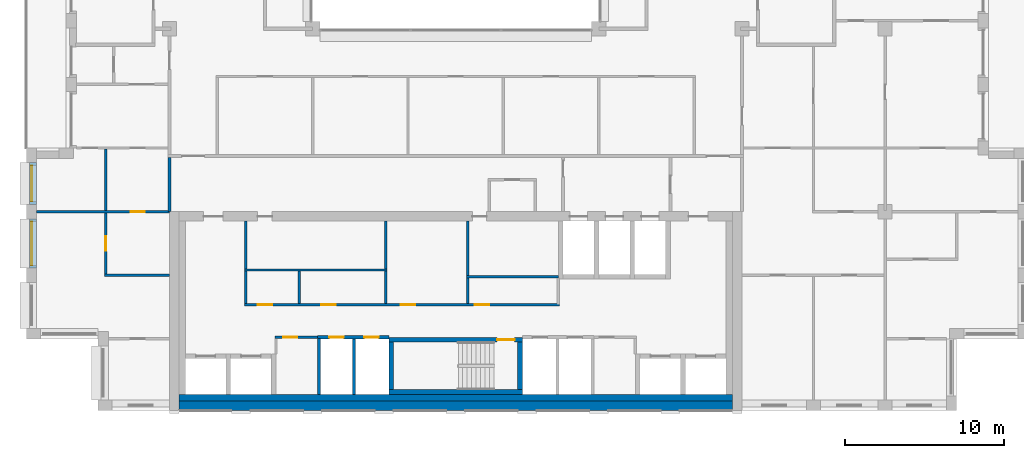
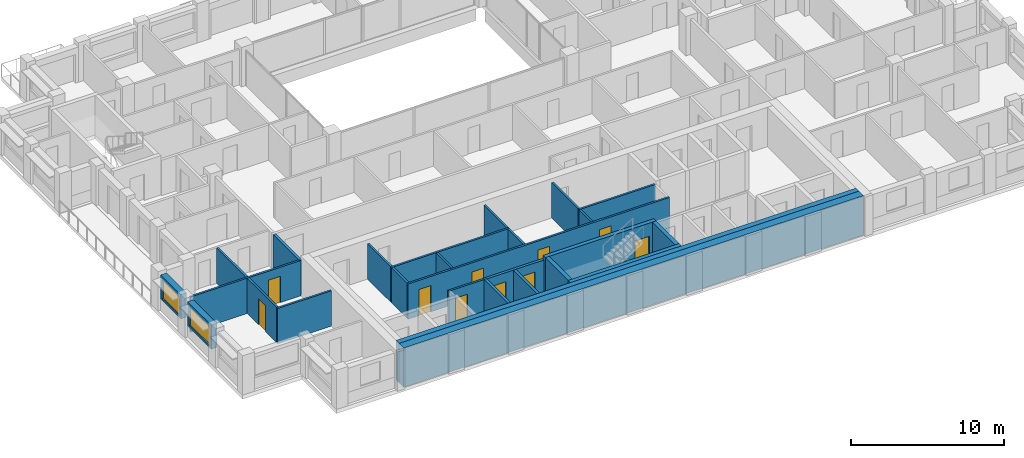
# One storey, part 8 of 16: 27 walls, 10 doors, 2 windows, 12 openings.
"""IFC4 building model written with IfcOpenShell, lengths in metres."""

from ifc_helpers import new_model, si_unit, direction, frame, frame_2d, origin, place, context, subcontext, project, spatial, rectangle, extrude, material, layer, layer_set, type_object, element, fill, save


model = new_model("IFC4")

# Units and contexts
model_context = context("Model", 3, precision=1e-05, world=origin(), true_north=direction((0.0, 1.0)))
body_context = subcontext(model_context, "Body", "Model", "MODEL_VIEW")
ifc_project = project(units=[si_unit("LENGTHUNIT", "METRE"), si_unit("AREAUNIT", "SQUARE_METRE"), si_unit("VOLUMEUNIT", "CUBIC_METRE"), si_unit("PLANEANGLEUNIT", "RADIAN"), si_unit("MASSUNIT", "GRAM", prefix="KILO")], contexts=[model_context])

# Site, building, storey
site_placement = place(None, origin())
site = spatial("IfcSite", under=ifc_project, at=site_placement, CompositionType="ELEMENT")
building_placement = place(site_placement, origin())
building = spatial("IfcBuilding", under=site, at=building_placement, Name="Brigalow Station Residences", CompositionType="ELEMENT")
storey_placement = place(building_placement, frame((0.0, 0.0, 204.300048828125)))
storey = spatial("IfcBuildingStorey", under=building, at=storey_placement, Name="L58", CompositionType="ELEMENT", Elevation=204.300048828125)

# Wall, opening, window
ifc_material_1 = material(Name="Clay brick masonry", Category="masonry")
ifc_layer_1 = layer(ifc_material_1, 0.449951171875)
ifc_layer_set_1 = layer_set([ifc_layer_1], Name="BRICK INFILL WALL 450")
wall_type_1 = type_object("IfcWallType", Name="BRICK INFILL WALL 450", PredefinedType="SOLIDWALL", material=ifc_layer_set_1)
wall_1_placement = place(storey_placement, frame((9.425048828125, 15.60009765625, 0.89990234375), z_axis=(0.0, 0.0, 1.0), x_axis=(0.0, -1.0, 0.0)))
wall_1 = element("IfcWall", 1, at=wall_1_placement, inside=storey, type_object=wall_type_1, Name="L58/ewall/W-L58-41", PredefinedType="SOLIDWALL", context=body_context, shape_type="SweptSolid", body=[
    extrude(rectangle(XDim=2.650146484375, YDim=0.449951171875, at=frame_2d((1.3251953125, 0.0))), origin(), (0.0, 0.0, 1.0), 1.929931640625),
])
opening_1_placement = place(wall_1_placement, frame((0.199951171875, 0.0, 0.14990234375)))
opening_1 = element("IfcOpeningElement", 2, at=opening_1_placement, cuts=wall_1, Name="Opening WT-6", PredefinedType="OPENING", context=body_context, shape_type="SweptSolid", body=[
    extrude(rectangle(XDim=2.25, YDim=1.5, at=frame_2d((1.125, 0.75))), frame((0.0, 0.23486328125, 0.0), z_axis=(0.0, -1.0, 0.0), x_axis=(1.0, 0.0, 0.0)), (0.0, 0.0, 1.0), 0.469970703125),
])
ifc_material_2 = material(Name="Anodised aluminium frame with double glazing", Category="aluminium")
window_type_1 = type_object("IfcWindowType", Name="WINDOW 2250x1500", PartitioningType="SINGLE_PANEL", PredefinedType="WINDOW", material=ifc_material_2)
window_1_placement = place(opening_1_placement, origin())
window_1 = element("IfcWindow", 3, at=window_1_placement, inside=storey, type_object=window_type_1, Name="L58/window/W-L58-41", OverallHeight=1.5, OverallWidth=2.25, PartitioningType="SINGLE_PANEL", PredefinedType="WINDOW", context=body_context, shape_type="SweptSolid", body=[
    extrude(rectangle(XDim=2.25, YDim=1.5, at=frame_2d((1.125, 0.75))), frame((0.0, -0.06494140625, 0.0), z_axis=(0.0, -1.0, 0.0), x_axis=(1.0, 0.0, 0.0)), (0.0, 0.0, 1.0), 0.06005859375),
])
fill(opening_1, window_1)

wall_2_placement = place(storey_placement, frame((9.425048828125, 12.050048828125, 0.89990234375), z_axis=(0.0, 0.0, 1.0), x_axis=(0.0, -1.0, 0.0)))
wall_2 = element("IfcWall", 4, at=wall_2_placement, inside=storey, type_object=wall_type_1, Name="L58/ewall/W-L58-42", PredefinedType="SOLIDWALL", context=body_context, shape_type="SweptSolid", body=[
    extrude(rectangle(XDim=3.10009765625, YDim=0.449951171875, at=frame_2d((1.550048828125, 0.0))), origin(), (0.0, 0.0, 1.0), 1.929931640625),
])
opening_2_placement = place(wall_2_placement, frame((0.175048828125, 0.0, 0.14990234375)))
opening_2 = element("IfcOpeningElement", 5, at=opening_2_placement, cuts=wall_2, Name="Opening WT-3", PredefinedType="OPENING", context=body_context, shape_type="SweptSolid", body=[
    extrude(rectangle(XDim=2.75, YDim=1.5, at=frame_2d((1.375, 0.75))), frame((0.0, 0.23486328125, 0.0), z_axis=(0.0, -1.0, 0.0), x_axis=(1.0, 0.0, 0.0)), (0.0, 0.0, 1.0), 0.469970703125),
])
ifc_material_3 = material(Name="Anodised aluminium frame with double glazing", Category="aluminium")
window_type_2 = type_object("IfcWindowType", Name="WINDOW 2750x1500", PartitioningType="SINGLE_PANEL", PredefinedType="WINDOW", material=ifc_material_3)
window_2_placement = place(opening_2_placement, origin())
window_2 = element("IfcWindow", 6, at=window_2_placement, inside=storey, type_object=window_type_2, Name="L58/window/W-L58-42", OverallHeight=1.5, OverallWidth=2.75, PartitioningType="SINGLE_PANEL", PredefinedType="WINDOW", context=body_context, shape_type="SweptSolid", body=[
    extrude(rectangle(XDim=2.75, YDim=1.5, at=frame_2d((1.375, 0.75))), frame((0.0, -0.06494140625, 0.0), z_axis=(0.0, -1.0, 0.0), x_axis=(1.0, 0.0, 0.0)), (0.0, 0.0, 1.0), 0.06005859375),
])
fill(opening_2, window_2)

# Wall
ifc_material_4 = material(Name="Concrete C50", Category="concrete")
ifc_layer_2 = layer(ifc_material_4, 0.300048828125)
ifc_layer_set_2 = layer_set([ifc_layer_2], Name="CORE SHEAR WALL 300 C50")
wall_type_2 = type_object("IfcWallType", Name="CORE SHEAR WALL 300 C50", PredefinedType="SHEAR", material=ifc_layer_set_2)
wall_3_placement = place(storey_placement, frame((31.800048828125, 1.14990234375, 0.0), z_axis=(0.0, 0.0, 1.0), x_axis=(1.0, 0.0, 0.0)))
element("IfcWall", 7, at=wall_3_placement, inside=storey, type_object=wall_type_2, Name="CORE WALL ST-S2-S L58", PredefinedType="SHEAR", context=body_context, shape_type="SweptSolid", body=[
    extrude(rectangle(XDim=8.39990234375, YDim=0.300048828125, at=frame_2d((4.199951171875, 0.0))), origin(), (0.0, 0.0, 1.0), 3.14990234375),
])

# Wall, opening, door
wall_4_placement = place(storey_placement, frame((31.800048828125, 4.449951171875, 0.0), z_axis=(0.0, 0.0, 1.0), x_axis=(1.0, 0.0, 0.0)))
wall_4 = element("IfcWall", 8, at=wall_4_placement, inside=storey, type_object=wall_type_2, Name="CORE WALL ST-S2-N L58", PredefinedType="SHEAR", context=body_context, shape_type="SweptSolid", body=[
    extrude(rectangle(XDim=8.39990234375, YDim=0.300048828125, at=frame_2d((4.199951171875, 0.0))), origin(), (0.0, 0.0, 1.0), 3.14990234375),
])
opening_3_placement = place(wall_4_placement, frame((6.800048828125, 0.0, 0.0)))
opening_3 = element("IfcOpeningElement", 9, at=opening_3_placement, cuts=wall_4, Name="Opening D-5001", PredefinedType="OPENING", context=body_context, shape_type="SweptSolid", body=[
    extrude(rectangle(XDim=1.10009765625, YDim=2.10009765625, at=frame_2d((0.550048828125, 1.050048828125))), frame((0.0, 0.16015625, 0.0), z_axis=(0.0, -1.0, 0.0), x_axis=(1.0, 0.0, 0.0)), (0.0, 0.0, 1.0), 0.320068359375),
])
ifc_material_5 = material(Name="Steel fire door leaf in steel frame", Category="steel")
door_type_1 = type_object("IfcDoorType", Name="STAIR DOOR 1100 x 2100 FD60S", OperationType="SINGLE_SWING_LEFT", PredefinedType="DOOR", material=ifc_material_5)
door_1_placement = place(opening_3_placement, frame((1.10009765625, 0.0, 0.0), z_axis=(0.0, 0.0, 1.0), x_axis=(-1.0, 0.0, 0.0)))
door_1 = element("IfcDoor", 10, at=door_1_placement, inside=storey, type_object=door_type_1, Name="D-5001", OperationType="SINGLE_SWING_LEFT", OverallHeight=2.10009765625, OverallWidth=1.10009765625, PredefinedType="DOOR", context=body_context, shape_type="SweptSolid", body=[
    extrude(rectangle(XDim=1.10009765625, YDim=2.10009765625, at=frame_2d((0.550048828125, 1.050048828125))), frame((0.0, 0.02490234375, 0.0), z_axis=(0.0, -1.0, 0.0), x_axis=(1.0, 0.0, 0.0)), (0.0, 0.0, 1.0), 0.050048828125),
])
fill(opening_3, door_1)

# Walls
for number, where, z_axis, x_axis, name in (
    (11, (31.949951171875, 1.300048828125, 0.0), (0.0, 0.0, 1.0), (0.0, 1.0, 0.0), "CORE WALL ST-S2-W L58"),
    (12, (40.050048828125, 1.300048828125, 0.0), (0.0, 0.0, 1.0), (0.0, 1.0, 0.0), "CORE WALL ST-S2-E L58"),
):
    element("IfcWall", number, at=place(storey_placement, frame(where, z_axis=z_axis, x_axis=x_axis)), inside=storey, type_object=wall_type_2, Name=name, PredefinedType="SHEAR", context=body_context, shape_type="SweptSolid", body=[
        extrude(rectangle(XDim=3.0, YDim=0.300048828125, at=frame_2d((1.5, 0.0))), origin(), (0.0, 0.0, 1.0), 3.14990234375),
    ])
ifc_material_6 = material(Name="Concrete C50", Category="concrete")
ifc_layer_3 = layer(ifc_material_6, 0.39990234375)
ifc_layer_set_3 = layer_set([ifc_layer_3], Name="CORE SHEAR WALL 400 C50")
wall_type_3 = type_object("IfcWallType", Name="CORE SHEAR WALL 400 C50", PredefinedType="SHEAR", material=ifc_layer_set_3)
wall_5_placement = place(storey_placement, frame((18.60009765625, 0.800048828125, 0.0), z_axis=(0.0, 0.0, 1.0), x_axis=(1.0, 0.0, 0.0)))
element("IfcWall", 13, at=wall_5_placement, inside=storey, type_object=wall_type_3, Name="CORE WALL LIN-S L58", PredefinedType="SHEAR", context=body_context, shape_type="SweptSolid", body=[
    extrude(rectangle(XDim=34.7998046875, YDim=0.39990234375, at=frame_2d((17.39990234375, 0.0))), origin(), (0.0, 0.0, 1.0), 3.14990234375),
])
ifc_material_7 = material(Name="Concrete C50", Category="concrete")
ifc_layer_4 = layer(ifc_material_7, 0.60009765625)
ifc_layer_set_4 = layer_set([ifc_layer_4], Name="CORE SHEAR WALL 600 C50")
wall_type_4 = type_object("IfcWallType", Name="CORE SHEAR WALL 600 C50", PredefinedType="SHEAR", material=ifc_layer_set_4)
wall_6_placement = place(storey_placement, frame((18.60009765625, 0.300048828125, 0.0), z_axis=(0.0, 0.0, 1.0), x_axis=(1.0, 0.0, 0.0)))
element("IfcWall", 14, at=wall_6_placement, inside=storey, type_object=wall_type_4, Name="CORE WALL OUT-S L58", PredefinedType="SHEAR", context=body_context, shape_type="SweptSolid", body=[
    extrude(rectangle(XDim=34.7998046875, YDim=0.60009765625, at=frame_2d((17.39990234375, 0.0))), origin(), (0.0, 0.0, 1.0), 3.14990234375),
])

# Wall, openings, doors
ifc_material_8 = material(Name="Concrete blockwork", Category="masonry")
ifc_layer_5 = layer(ifc_material_8, 0.199951171875)
ifc_layer_set_5 = layer_set([ifc_layer_5], Name="FIRE RATED CORE PARTITION 200")
wall_type_5 = type_object("IfcWallType", Name="FIRE RATED CORE PARTITION 200", PredefinedType="PARTITIONING", material=ifc_layer_set_5)
wall_7_placement = place(storey_placement, frame((27.300048828125, 4.60009765625, 0.0), z_axis=(0.0, 0.0, 1.0), x_axis=(1.0, 0.0, 0.0)))
wall_7 = element("IfcWall", 15, at=wall_7_placement, inside=storey, type_object=wall_type_5, Name="PW-5017", PredefinedType="PARTITIONING", context=body_context, shape_type="SweptSolid", body=[
    extrude(rectangle(XDim=4.5, YDim=0.199951171875, at=frame_2d((2.25, 0.0))), origin(), (0.0, 0.0, 1.0), 2.829833984375),
])
opening_4_placement = place(wall_7_placement, frame((0.75, 0.0, 0.0)))
opening_4 = element("IfcOpeningElement", 16, at=opening_4_placement, cuts=wall_7, Name="Opening D-5007", PredefinedType="OPENING", context=body_context, shape_type="SweptSolid", body=[
    extrude(rectangle(XDim=0.89990234375, YDim=2.10009765625, at=frame_2d((0.449951171875, 1.050048828125))), frame((0.0, 0.10986328125, 0.0), z_axis=(0.0, -1.0, 0.0), x_axis=(1.0, 0.0, 0.0)), (0.0, 0.0, 1.0), 0.219970703125),
])
opening_5_placement = place(wall_7_placement, frame((2.949951171875, 0.0, 0.0)))
opening_5 = element("IfcOpeningElement", 17, at=opening_5_placement, cuts=wall_7, Name="Opening D-5008", PredefinedType="OPENING", context=body_context, shape_type="SweptSolid", body=[
    extrude(rectangle(XDim=0.89990234375, YDim=2.10009765625, at=frame_2d((0.449951171875, 1.050048828125))), frame((0.0, 0.10986328125, 0.0), z_axis=(0.0, -1.0, 0.0), x_axis=(1.0, 0.0, 0.0)), (0.0, 0.0, 1.0), 0.219970703125),
])
ifc_material_9 = material(Name="Steel fire door leaf in steel frame", Category="steel")
door_type_2 = type_object("IfcDoorType", Name="RISER ACCESS DOOR 900 x 2100 FD120", OperationType="SINGLE_SWING_LEFT", PredefinedType="DOOR", material=ifc_material_9)
door_2_placement = place(opening_4_placement, frame((0.89990234375, 0.0, 0.0), z_axis=(0.0, 0.0, 1.0), x_axis=(-1.0, 0.0, 0.0)))
door_2 = element("IfcDoor", 18, at=door_2_placement, inside=storey, type_object=door_type_2, Name="D-5007", OperationType="SINGLE_SWING_RIGHT", OverallHeight=2.10009765625, OverallWidth=0.89990234375, PredefinedType="DOOR", context=body_context, shape_type="SweptSolid", body=[
    extrude(rectangle(XDim=0.89990234375, YDim=2.10009765625, at=frame_2d((0.449951171875, 1.050048828125))), frame((0.0, 0.02490234375, 0.0), z_axis=(0.0, -1.0, 0.0), x_axis=(1.0, 0.0, 0.0)), (0.0, 0.0, 1.0), 0.050048828125),
])
fill(opening_4, door_2)
door_3_placement = place(opening_5_placement, frame((0.89990234375, 0.0, 0.0), z_axis=(0.0, 0.0, 1.0), x_axis=(-1.0, 0.0, 0.0)))
door_3 = element("IfcDoor", 19, at=door_3_placement, inside=storey, type_object=door_type_2, Name="D-5008", OperationType="SINGLE_SWING_RIGHT", OverallHeight=2.10009765625, OverallWidth=0.89990234375, PredefinedType="DOOR", context=body_context, shape_type="SweptSolid", body=[
    extrude(rectangle(XDim=0.89990234375, YDim=2.10009765625, at=frame_2d((0.449951171875, 1.050048828125))), frame((0.0, 0.02490234375, 0.0), z_axis=(0.0, -1.0, 0.0), x_axis=(1.0, 0.0, 0.0)), (0.0, 0.0, 1.0), 0.050048828125),
])
fill(opening_5, door_3)

# Walls
wall_8_placement = place(storey_placement, frame((27.39990234375, 1.0, 0.0), z_axis=(0.0, 0.0, 1.0), x_axis=(0.0, 1.0, 0.0)))
element("IfcWall", 20, at=wall_8_placement, inside=storey, type_object=wall_type_5, Name="PW-5027", PredefinedType="PARTITIONING", context=body_context, shape_type="SweptSolid", body=[
    extrude(rectangle(XDim=3.52490234375, YDim=0.199951171875, at=frame_2d((1.762451171875, 0.0))), origin(), (0.0, 0.0, 1.0), 2.829833984375),
])
wall_9_placement = place(storey_placement, frame((29.60009765625, 1.0, 0.0), z_axis=(0.0, 0.0, 1.0), x_axis=(0.0, 1.0, 0.0)))
element("IfcWall", 21, at=wall_9_placement, inside=storey, type_object=wall_type_5, Name="PW-5006", PredefinedType="PARTITIONING", context=body_context, shape_type="SweptSolid", body=[
    extrude(rectangle(XDim=3.5, YDim=0.199951171875, at=frame_2d((1.75, 0.0))), origin(), (0.0, 0.0, 1.0), 2.829833984375),
])
wall_10_placement = place(storey_placement, frame((18.0, 12.5, 0.0), z_axis=(0.0, 0.0, 1.0), x_axis=(0.0, 1.0, 0.0)))
element("IfcWall", 22, at=wall_10_placement, inside=storey, type_object=wall_type_5, Name="PW-5013", PredefinedType="PARTITIONING", context=body_context, shape_type="SweptSolid", body=[
    extrude(rectangle(XDim=3.39990234375, YDim=0.199951171875, at=frame_2d((1.699951171875, 0.0))), origin(), (0.0, 0.0, 1.0), 2.829833984375),
])

# Wall, opening, door
ifc_material_10 = material(Name="Plasterboard on steel stud partition", Category="steel")
ifc_layer_6 = layer(ifc_material_10, 0.14990234375)
ifc_layer_set_6 = layer_set([ifc_layer_6], Name="FLAT PARTITION 150")
wall_type_6 = type_object("IfcWallType", Name="FLAT PARTITION 150", PredefinedType="PARTITIONING", material=ifc_layer_set_6)
wall_11_placement = place(storey_placement, frame((9.64990234375, 12.5, 0.0), z_axis=(0.0, 0.0, 1.0), x_axis=(1.0, 0.0, 0.0)))
wall_11 = element("IfcWall", 23, at=wall_11_placement, inside=storey, type_object=wall_type_6, Name="PW-4A12", PredefinedType="PARTITIONING", context=body_context, shape_type="SweptSolid", body=[
    extrude(rectangle(XDim=8.35009765625, YDim=0.14990234375, at=frame_2d((4.175048828125, 0.0))), origin(), (0.0, 0.0, 1.0), 2.829833984375),
])
opening_6_placement = place(wall_11_placement, frame((5.89990234375, 0.0, 0.0)))
opening_6 = element("IfcOpeningElement", 24, at=opening_6_placement, cuts=wall_11, Name="Opening D-4A08", PredefinedType="OPENING", context=body_context, shape_type="SweptSolid", body=[
    extrude(rectangle(XDim=0.89990234375, YDim=2.10009765625, at=frame_2d((0.449951171875, 1.050048828125))), frame((0.0, 0.0849609375, 0.0), z_axis=(0.0, -1.0, 0.0), x_axis=(1.0, 0.0, 0.0)), (0.0, 0.0, 1.0), 0.169921875),
])
ifc_material_11 = material(Name="Solid-core timber door leaf", Category="wood")
door_type_3 = type_object("IfcDoorType", Name="INTERNAL DOOR 900 x 2100", OperationType="SINGLE_SWING_LEFT", PredefinedType="DOOR", material=ifc_material_11)
door_4_placement = place(opening_6_placement, origin())
door_4 = element("IfcDoor", 25, at=door_4_placement, inside=storey, type_object=door_type_3, Name="D-4A08", OperationType="SINGLE_SWING_LEFT", OverallHeight=2.10009765625, OverallWidth=0.89990234375, PredefinedType="DOOR", context=body_context, shape_type="SweptSolid", body=[
    extrude(rectangle(XDim=0.89990234375, YDim=2.10009765625, at=frame_2d((0.449951171875, 1.050048828125))), frame((0.0, 0.02490234375, 0.0), z_axis=(0.0, -1.0, 0.0), x_axis=(1.0, 0.0, 0.0)), (0.0, 0.0, 1.0), 0.050048828125),
])
fill(opening_6, door_4)

# Wall
wall_12_placement = place(storey_placement, frame((13.925048828125, 8.5, 0.0), z_axis=(0.0, 0.0, 1.0), x_axis=(1.0, 0.0, 0.0)))
element("IfcWall", 26, at=wall_12_placement, inside=storey, type_object=wall_type_6, Name="PW-4A14", PredefinedType="PARTITIONING", context=body_context, shape_type="SweptSolid", body=[
    extrude(rectangle(XDim=4.074951171875, YDim=0.14990234375, at=frame_2d((2.03759765625, 0.0))), origin(), (0.0, 0.0, 1.0), 2.829833984375),
])

# Wall, opening, door
wall_13_placement = place(storey_placement, frame((14.0, 8.574951171875, 0.0), z_axis=(0.0, 0.0, 1.0), x_axis=(0.0, 1.0, 0.0)))
wall_13 = element("IfcWall", 27, at=wall_13_placement, inside=storey, type_object=wall_type_6, Name="PW-4A43", PredefinedType="PARTITIONING", context=body_context, shape_type="SweptSolid", body=[
    extrude(rectangle(XDim=3.85009765625, YDim=0.14990234375, at=frame_2d((1.925048828125, 0.0))), origin(), (0.0, 0.0, 1.0), 2.829833984375),
])
opening_7_placement = place(wall_13_placement, frame((1.47509765625, 0.0, 0.0)))
opening_7 = element("IfcOpeningElement", 28, at=opening_7_placement, cuts=wall_13, Name="Opening D-4A09", PredefinedType="OPENING", context=body_context, shape_type="SweptSolid", body=[
    extrude(rectangle(XDim=0.89990234375, YDim=2.10009765625, at=frame_2d((0.449951171875, 1.050048828125))), frame((0.0, 0.0849609375, 0.0), z_axis=(0.0, -1.0, 0.0), x_axis=(1.0, 0.0, 0.0)), (0.0, 0.0, 1.0), 0.169921875),
])
door_5_placement = place(opening_7_placement, origin())
door_5 = element("IfcDoor", 29, at=door_5_placement, inside=storey, type_object=door_type_3, Name="D-4A09", OperationType="SINGLE_SWING_RIGHT", OverallHeight=2.10009765625, OverallWidth=0.89990234375, PredefinedType="DOOR", context=body_context, shape_type="SweptSolid", body=[
    extrude(rectangle(XDim=0.89990234375, YDim=2.10009765625, at=frame_2d((0.449951171875, 1.050048828125))), frame((0.0, 0.02490234375, 0.0), z_axis=(0.0, -1.0, 0.0), x_axis=(1.0, 0.0, 0.0)), (0.0, 0.0, 1.0), 0.050048828125),
])
fill(opening_7, door_5)

# Wall
wall_14_placement = place(storey_placement, frame((14.0, 12.574951171875, 0.0), z_axis=(0.0, 0.0, 1.0), x_axis=(0.0, 1.0, 0.0)))
element("IfcWall", 30, at=wall_14_placement, inside=storey, type_object=wall_type_6, Name="PW-4A44", PredefinedType="PARTITIONING", context=body_context, shape_type="SweptSolid", body=[
    extrude(rectangle(XDim=3.85009765625, YDim=0.14990234375, at=frame_2d((1.925048828125, 0.0))), origin(), (0.0, 0.0, 1.0), 2.829833984375),
])

# Wall, opening, door
ifc_material_12 = material(Name="Plasterboard on steel studs", Category="steel")
ifc_layer_7 = layer(ifc_material_12, 0.14990234375)
ifc_layer_set_7 = layer_set([ifc_layer_7], Name="SERVICE ROOM PARTITION 150")
wall_type_7 = type_object("IfcWallType", Name="SERVICE ROOM PARTITION 150", PredefinedType="PARTITIONING", material=ifc_layer_set_7)
wall_15_placement = place(storey_placement, frame((24.625, 4.60009765625, 0.0), z_axis=(0.0, 0.0, 1.0), x_axis=(1.0, 0.0, 0.0)))
wall_15 = element("IfcWall", 31, at=wall_15_placement, inside=storey, type_object=wall_type_7, Name="PW-5155", PredefinedType="PARTITIONING", context=body_context, shape_type="SweptSolid", body=[
    extrude(rectangle(XDim=2.675048828125, YDim=0.14990234375, at=frame_2d((1.33740234375, 0.0))), origin(), (0.0, 0.0, 1.0), 2.829833984375),
])
opening_8_placement = place(wall_15_placement, frame((0.52490234375, 0.0, 0.0)))
opening_8 = element("IfcOpeningElement", 32, at=opening_8_placement, cuts=wall_15, Name="Opening D-5087", PredefinedType="OPENING", context=body_context, shape_type="SweptSolid", body=[
    extrude(rectangle(XDim=0.89990234375, YDim=2.10009765625, at=frame_2d((0.449951171875, 1.050048828125))), frame((0.0, 0.0849609375, 0.0), z_axis=(0.0, -1.0, 0.0), x_axis=(1.0, 0.0, 0.0)), (0.0, 0.0, 1.0), 0.169921875),
])
ifc_material_13 = material(Name="Steel door leaf in steel frame", Category="steel")
door_type_4 = type_object("IfcDoorType", Name="SERVICE ROOM DOOR 900 x 2100 FD60", OperationType="SINGLE_SWING_LEFT", PredefinedType="DOOR", material=ifc_material_13)
door_6_placement = place(opening_8_placement, frame((0.89990234375, 0.0, 0.0), z_axis=(0.0, 0.0, 1.0), x_axis=(-1.0, 0.0, 0.0)))
door_6 = element("IfcDoor", 33, at=door_6_placement, inside=storey, type_object=door_type_4, Name="D-5087", OperationType="SINGLE_SWING_RIGHT", OverallHeight=2.10009765625, OverallWidth=0.89990234375, PredefinedType="DOOR", context=body_context, shape_type="SweptSolid", body=[
    extrude(rectangle(XDim=0.89990234375, YDim=2.10009765625, at=frame_2d((0.449951171875, 1.050048828125))), frame((0.0, 0.02490234375, 0.0), z_axis=(0.0, -1.0, 0.0), x_axis=(1.0, 0.0, 0.0)), (0.0, 0.0, 1.0), 0.050048828125),
])
fill(opening_8, door_6)

# Wall, openings, doors
wall_16_placement = place(storey_placement, frame((22.72509765625, 6.64990234375, 0.0), z_axis=(0.0, 0.0, 1.0), x_axis=(1.0, 0.0, 0.0)))
wall_16 = element("IfcWall", 34, at=wall_16_placement, inside=storey, type_object=wall_type_7, Name="PW-5195", PredefinedType="PARTITIONING", context=body_context, shape_type="SweptSolid", body=[
    extrude(rectangle(XDim=19.7998046875, YDim=0.14990234375, at=frame_2d((9.89990234375, 0.0))), origin(), (0.0, 0.0, 1.0), 2.829833984375),
])
opening_9_placement = place(wall_16_placement, frame((0.824951171875, 0.0, 0.0)))
opening_9 = element("IfcOpeningElement", 35, at=opening_9_placement, cuts=wall_16, Name="Opening D-5110", PredefinedType="OPENING", context=body_context, shape_type="SweptSolid", body=[
    extrude(rectangle(XDim=0.89990234375, YDim=2.10009765625, at=frame_2d((0.449951171875, 1.050048828125))), frame((0.0, 0.0849609375, 0.0), z_axis=(0.0, -1.0, 0.0), x_axis=(1.0, 0.0, 0.0)), (0.0, 0.0, 1.0), 0.169921875),
])
opening_10_placement = place(wall_16_placement, frame((4.824951171875, 0.0, 0.0)))
opening_10 = element("IfcOpeningElement", 36, at=opening_10_placement, cuts=wall_16, Name="Opening D-5116", PredefinedType="OPENING", context=body_context, shape_type="SweptSolid", body=[
    extrude(rectangle(XDim=0.89990234375, YDim=2.10009765625, at=frame_2d((0.449951171875, 1.050048828125))), frame((0.0, 0.0849609375, 0.0), z_axis=(0.0, -1.0, 0.0), x_axis=(1.0, 0.0, 0.0)), (0.0, 0.0, 1.0), 0.169921875),
])
opening_11_placement = place(wall_16_placement, frame((9.824951171875, 0.0, 0.0)))
opening_11 = element("IfcOpeningElement", 37, at=opening_11_placement, cuts=wall_16, Name="Opening D-5117", PredefinedType="OPENING", context=body_context, shape_type="SweptSolid", body=[
    extrude(rectangle(XDim=0.89990234375, YDim=2.10009765625, at=frame_2d((0.449951171875, 1.050048828125))), frame((0.0, 0.0849609375, 0.0), z_axis=(0.0, -1.0, 0.0), x_axis=(1.0, 0.0, 0.0)), (0.0, 0.0, 1.0), 0.169921875),
])
opening_12_placement = place(wall_16_placement, frame((14.47509765625, 0.0, 0.0)))
opening_12 = element("IfcOpeningElement", 38, at=opening_12_placement, cuts=wall_16, Name="Opening D-5114", PredefinedType="OPENING", context=body_context, shape_type="SweptSolid", body=[
    extrude(rectangle(XDim=0.89990234375, YDim=2.10009765625, at=frame_2d((0.449951171875, 1.050048828125))), frame((0.0, 0.0849609375, 0.0), z_axis=(0.0, -1.0, 0.0), x_axis=(1.0, 0.0, 0.0)), (0.0, 0.0, 1.0), 0.169921875),
])
door_7_placement = place(opening_9_placement, origin())
door_7 = element("IfcDoor", 39, at=door_7_placement, inside=storey, type_object=door_type_4, Name="D-5110", OperationType="SINGLE_SWING_LEFT", OverallHeight=2.10009765625, OverallWidth=0.89990234375, PredefinedType="DOOR", context=body_context, shape_type="SweptSolid", body=[
    extrude(rectangle(XDim=0.89990234375, YDim=2.10009765625, at=frame_2d((0.449951171875, 1.050048828125))), frame((0.0, 0.02490234375, 0.0), z_axis=(0.0, -1.0, 0.0), x_axis=(1.0, 0.0, 0.0)), (0.0, 0.0, 1.0), 0.050048828125),
])
fill(opening_9, door_7)
door_8_placement = place(opening_10_placement, origin())
door_8 = element("IfcDoor", 40, at=door_8_placement, inside=storey, type_object=door_type_4, Name="D-5116", OperationType="SINGLE_SWING_LEFT", OverallHeight=2.10009765625, OverallWidth=0.89990234375, PredefinedType="DOOR", context=body_context, shape_type="SweptSolid", body=[
    extrude(rectangle(XDim=0.89990234375, YDim=2.10009765625, at=frame_2d((0.449951171875, 1.050048828125))), frame((0.0, 0.02490234375, 0.0), z_axis=(0.0, -1.0, 0.0), x_axis=(1.0, 0.0, 0.0)), (0.0, 0.0, 1.0), 0.050048828125),
])
fill(opening_10, door_8)
door_9_placement = place(opening_11_placement, origin())
door_9 = element("IfcDoor", 41, at=door_9_placement, inside=storey, type_object=door_type_4, Name="D-5117", OperationType="SINGLE_SWING_LEFT", OverallHeight=2.10009765625, OverallWidth=0.89990234375, PredefinedType="DOOR", context=body_context, shape_type="SweptSolid", body=[
    extrude(rectangle(XDim=0.89990234375, YDim=2.10009765625, at=frame_2d((0.449951171875, 1.050048828125))), frame((0.0, 0.02490234375, 0.0), z_axis=(0.0, -1.0, 0.0), x_axis=(1.0, 0.0, 0.0)), (0.0, 0.0, 1.0), 0.050048828125),
])
fill(opening_11, door_9)
door_10_placement = place(opening_12_placement, origin())
door_10 = element("IfcDoor", 42, at=door_10_placement, inside=storey, type_object=door_type_4, Name="D-5114", OperationType="SINGLE_SWING_LEFT", OverallHeight=2.10009765625, OverallWidth=0.89990234375, PredefinedType="DOOR", context=body_context, shape_type="SweptSolid", body=[
    extrude(rectangle(XDim=0.89990234375, YDim=2.10009765625, at=frame_2d((0.449951171875, 1.050048828125))), frame((0.0, 0.02490234375, 0.0), z_axis=(0.0, -1.0, 0.0), x_axis=(1.0, 0.0, 0.0)), (0.0, 0.0, 1.0), 0.050048828125),
])
fill(opening_12, door_10)

# Walls
wall_17_placement = place(storey_placement, frame((36.675048828125, 8.39990234375, 0.0), z_axis=(0.0, 0.0, 1.0), x_axis=(1.0, 0.0, 0.0)))
element("IfcWall", 43, at=wall_17_placement, inside=storey, type_object=wall_type_7, Name="PW-5204", PredefinedType="PARTITIONING", context=body_context, shape_type="SweptSolid", body=[
    extrude(rectangle(XDim=5.77490234375, YDim=0.14990234375, at=frame_2d((2.887451171875, 0.0))), origin(), (0.0, 0.0, 1.0), 2.829833984375),
])
wall_18_placement = place(storey_placement, frame((22.72509765625, 8.830078125, 0.0), z_axis=(0.0, 0.0, 1.0), x_axis=(1.0, 0.0, 0.0)))
element("IfcWall", 44, at=wall_18_placement, inside=storey, type_object=wall_type_7, Name="PW-5205", PredefinedType="PARTITIONING", context=body_context, shape_type="SweptSolid", body=[
    extrude(rectangle(XDim=8.9599609375, YDim=0.14990234375, at=frame_2d((4.47998046875, 0.0))), origin(), (0.0, 0.0, 1.0), 2.829833984375),
])
for number, where, z_axis, x_axis, name in (
    (45, (22.800048828125, 6.72509765625, 0.0), (0.0, 0.0, 1.0), (0.0, 1.0, 0.0), "PW-5207"),
    (46, (26.169921875, 6.72509765625, 0.0), (0.0, 0.0, 1.0), (0.0, 1.0, 0.0), "PW-5208"),
    (47, (31.610107421875, 6.72509765625, 0.0), (0.0, 0.0, 1.0), (0.0, 1.0, 0.0), "PW-5209"),
):
    element("IfcWall", number, at=place(storey_placement, frame(where, z_axis=z_axis, x_axis=x_axis)), inside=storey, type_object=wall_type_7, Name=name, PredefinedType="PARTITIONING", context=body_context, shape_type="SweptSolid", body=[
        extrude(rectangle(XDim=2.02978515625, YDim=0.14990234375, at=frame_2d((1.014892578125, 0.0))), origin(), (0.0, 0.0, 1.0), 2.829833984375),
    ])
wall_19_placement = place(storey_placement, frame((36.75, 6.72509765625, 0.0), z_axis=(0.0, 0.0, 1.0), x_axis=(0.0, 1.0, 0.0)))
element("IfcWall", 48, at=wall_19_placement, inside=storey, type_object=wall_type_7, Name="PW-5210", PredefinedType="PARTITIONING", context=body_context, shape_type="SweptSolid", body=[
    extrude(rectangle(XDim=1.599853515625, YDim=0.14990234375, at=frame_2d((0.7998046875, 0.0))), origin(), (0.0, 0.0, 1.0), 2.829833984375),
])
wall_20_placement = place(storey_placement, frame((36.75, 8.47509765625, 0.0), z_axis=(0.0, 0.0, 1.0), x_axis=(0.0, 1.0, 0.0)))
element("IfcWall", 49, at=wall_20_placement, inside=storey, type_object=wall_type_7, Name="PW-5211", PredefinedType="PARTITIONING", context=body_context, shape_type="SweptSolid", body=[
    extrude(rectangle(XDim=3.4248046875, YDim=0.14990234375, at=frame_2d((1.71240234375, 0.0))), origin(), (0.0, 0.0, 1.0), 2.829833984375),
])
for number, where, z_axis, x_axis, name in (
    (50, (22.800048828125, 8.905029296875, 0.0), (0.0, 0.0, 1.0), (0.0, 1.0, 0.0), "PW-5212"),
    (51, (31.610107421875, 8.905029296875, 0.0), (0.0, 0.0, 1.0), (0.0, 1.0, 0.0), "PW-5213"),
):
    element("IfcWall", number, at=place(storey_placement, frame(where, z_axis=z_axis, x_axis=x_axis)), inside=storey, type_object=wall_type_7, Name=name, PredefinedType="PARTITIONING", context=body_context, shape_type="SweptSolid", body=[
        extrude(rectangle(XDim=2.994873046875, YDim=0.14990234375, at=frame_2d((1.49755859375, 0.0))), origin(), (0.0, 0.0, 1.0), 2.829833984375),
    ])

save(model, "model.ifc")
